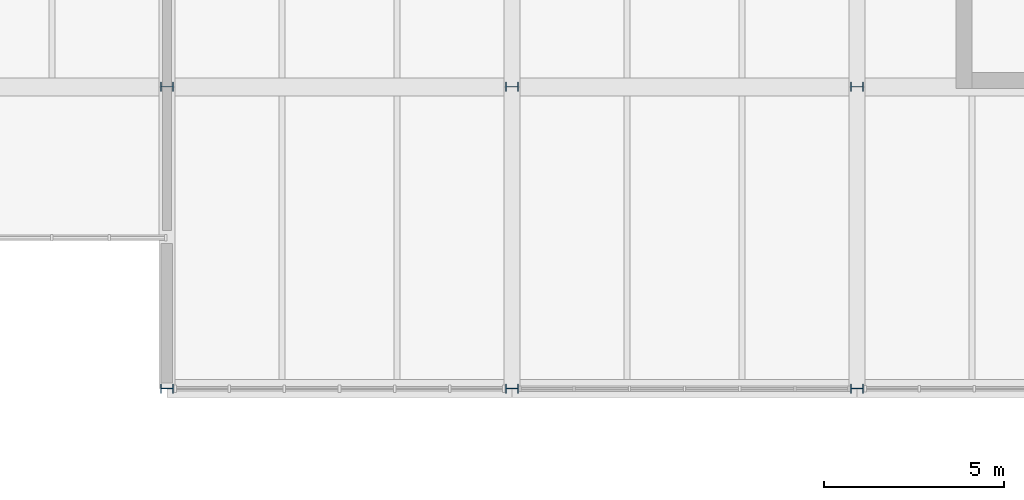
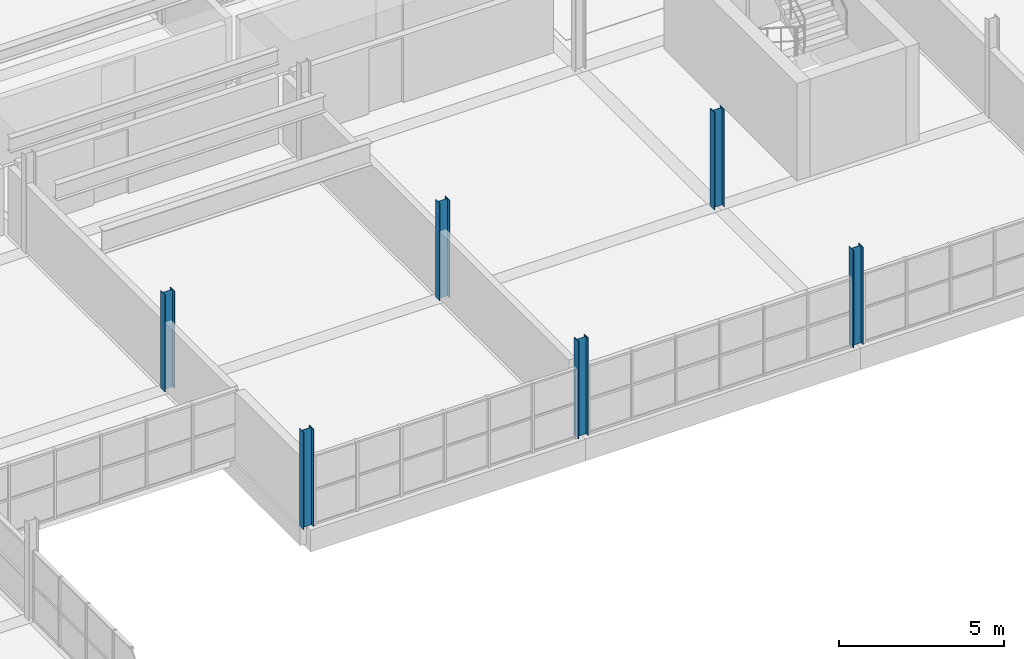
# One storey, part 10 of 147: 6 columns.
"""IFC4 building model written with IfcOpenShell, lengths in metres."""

from ifc_helpers import new_model, si_unit, direction, frame, origin, origin_2d, place, context, subcontext, project, spatial, i_section, extrude, material, material_profile, profile_set, type_object, element, save


model = new_model("IFC4")

# Units and contexts
model_context = context("Model", 3, precision=1e-05, world=origin(), true_north=direction((0.0, 1.0)))
body_context = subcontext(model_context, "Body", "Model", "MODEL_VIEW")
ifc_project = project(units=[si_unit("LENGTHUNIT", "METRE"), si_unit("AREAUNIT", "SQUARE_METRE"), si_unit("VOLUMEUNIT", "CUBIC_METRE"), si_unit("PLANEANGLEUNIT", "RADIAN"), si_unit("MASSUNIT", "GRAM", prefix="KILO")], contexts=[model_context])

# Site, building, storey
site_placement = place(None, origin())
site = spatial("IfcSite", under=ifc_project, at=site_placement, CompositionType="ELEMENT")
building_placement = place(site_placement, origin())
building = spatial("IfcBuilding", under=site, at=building_placement, Name="Oolite Switchyard Hospital", CompositionType="ELEMENT")
storey_placement = place(building_placement, frame((0.0, 0.0, 9.89990234375)))
storey = spatial("IfcBuildingStorey", under=building, at=storey_placement, Name="L02", CompositionType="ELEMENT", Elevation=9.89990234375)

# Columns
ifc_material = material(Name="Steel ASTM A992 Grade 50", Category="steel")
ifc_material_profile = material_profile(ifc_material, i_section(OverallWidth=0.25390625, OverallDepth=0.35595703125, WebThickness=0.010986328125, FlangeThickness=0.01806640625, at=origin_2d()), Name="W14X68")
ifc_profile_set = profile_set([ifc_material_profile], Name="Steel ASTM A992 Grade 50")
column_type = type_object("IfcColumnType", Name="COL-STL14X68", PredefinedType="COLUMN", material=ifc_profile_set)
for number, where, z_axis, x_axis, name in (
    (1, (67.199951171875, 84.0, 0.0), (0.0, 0.0, 1.0), (0.0, -1.0, 0.0), "L02 Column 737"),
    (2, (67.199951171875, 92.39990234375, 0.0), (0.0, 0.0, 1.0), (0.0, -1.0, 0.0), "L02 Column 738"),
    (3, (76.800048828125, 84.0, 0.0), (0.0, 0.0, 1.0), (0.0, -1.0, 0.0), "L02 Column 746"),
    (4, (76.800048828125, 92.39990234375, 0.0), (0.0, 0.0, 1.0), (0.0, -1.0, 0.0), "L02 Column 747"),
    (5, (86.39990234375, 84.0, 0.0), (0.0, 0.0, 1.0), (0.0, -1.0, 0.0), "L02 Column 755"),
    (6, (86.39990234375, 92.39990234375, 0.0), (0.0, 0.0, 1.0), (0.0, -1.0, 0.0), "L02 Column 756"),
):
    element("IfcColumn", number, at=place(storey_placement, frame(where, z_axis=z_axis, x_axis=x_axis)), inside=storey, type_object=column_type, Name=name, PredefinedType="COLUMN", context=body_context, shape_type="SweptSolid", body=[
        extrude(i_section(OverallWidth=0.25390625, OverallDepth=0.35595703125, WebThickness=0.010986328125, FlangeThickness=0.01806640625, at=origin_2d()), origin(), (0.0, 0.0, 1.0), 3.60009765625),
    ])

save(model, "model.ifc")
